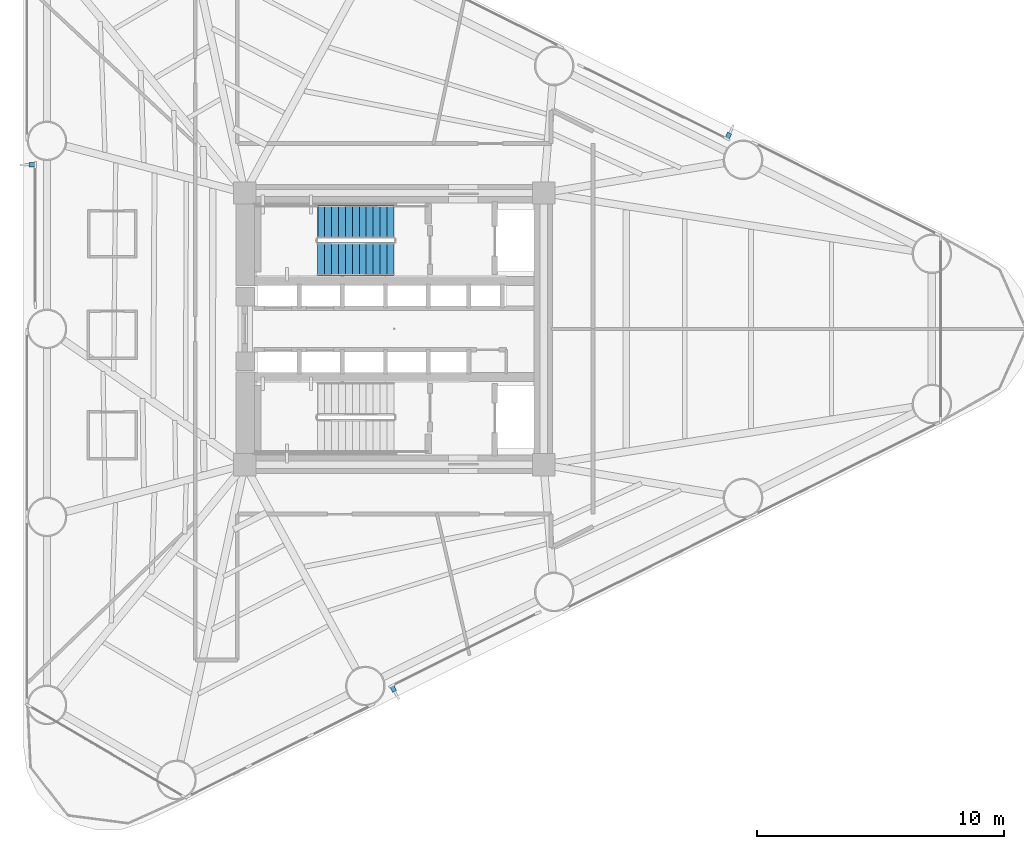
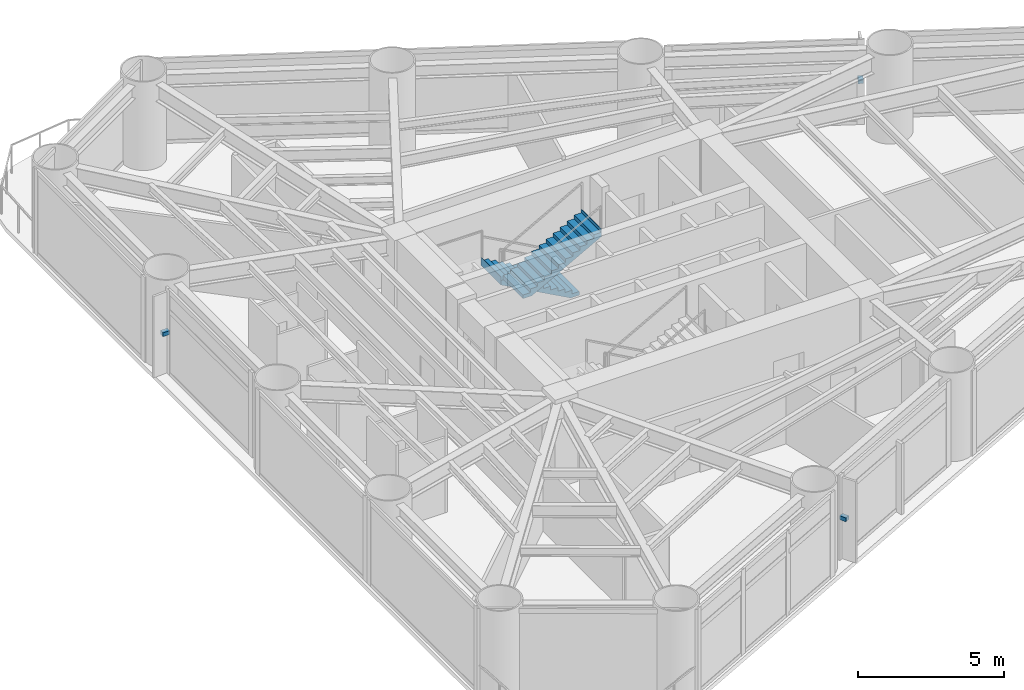
# One storey, part 7 of 10: 3 discrete accessories, 2 stair flights, 1 element without a shape of its own.
"""IFC4 building model written with IfcOpenShell, lengths in metres."""

from ifc_helpers import new_model, si_unit, direction, frame, origin, origin_2d, place, context, subcontext, project, spatial, polyline, rectangle, outline, extrude, source, transform, mapped, material, type_object, element, aggregate, save


model = new_model("IFC4")

# Units and contexts
model_context = context("Model", 3, precision=1e-05, world=origin(), true_north=direction((0.0, 1.0)))
body_context = subcontext(model_context, "Body", "Model", "MODEL_VIEW")
ifc_project = project(units=[si_unit("LENGTHUNIT", "METRE"), si_unit("AREAUNIT", "SQUARE_METRE"), si_unit("VOLUMEUNIT", "CUBIC_METRE"), si_unit("PLANEANGLEUNIT", "RADIAN"), si_unit("MASSUNIT", "GRAM", prefix="KILO")], contexts=[model_context])

# Site, building, storey
site_placement = place(None, origin())
site = spatial("IfcSite", under=ifc_project, at=site_placement, CompositionType="ELEMENT")
building_placement = place(site_placement, origin())
building = spatial("IfcBuilding", under=site, at=building_placement, Name="Yunling Apex Tower", CompositionType="ELEMENT")
storey_placement = place(building_placement, frame((0.0, 0.0, 27.5)))
storey = spatial("IfcBuildingStorey", under=building, at=storey_placement, Name="L08", CompositionType="ELEMENT", Elevation=27.5)

# Stair, stair flights
ifc_material_1 = material(Name="Concrete C40", Category="concrete")
stair_type = type_object("IfcStairType", Name="ST-TWR-1", PredefinedType="HALF_TURN_STAIR", material=ifc_material_1)
stair_placement = place(storey_placement, origin())
stair = element("IfcStair", 1, at=stair_placement, inside=storey, type_object=stair_type, Name="L08 North Core Smokeproof Exit Stair ST-1", PredefinedType="HALF_TURN_STAIR")
stair_flight_type = type_object("IfcStairFlightType", Name="SFL-TWR-1", PredefinedType="STRAIGHT", material=ifc_material_1)
stair_flight_1_placement = place(storey_placement, frame((-0.010009765625, 4.330078125, 0.0), z_axis=(0.0, 0.0, 1.0), x_axis=(-1.0, 0.0, 0.0)))
stair_flight_1 = element("IfcStairFlight", 2, at=stair_flight_1_placement, type_object=stair_flight_type, Name="ST-1 flight 1", NumberOfRisers=12, NumberOfTreads=11, PredefinedType="STRAIGHT", RiserHeight=0.154166667, TreadLength=0.28, context=body_context, shape_type="SweptSolid", body=[
    extrude(outline(polyline([(-0.011962890625, 0.0), (-0.011962890625, 0.154052734375), (0.0, 0.154052734375), (0.280029296875, 0.154052734375), (0.280029296875, 0.308349609375), (0.56005859375, 0.308349609375), (0.56005859375, 0.46240234375), (0.840087890625, 0.46240234375), (0.840087890625, 0.61669921875), (1.1201171875, 0.61669921875), (1.1201171875, 0.770751953125), (1.39990234375, 0.770751953125), (1.39990234375, 0.925048828125), (1.679931640625, 0.925048828125), (1.679931640625, 1.0791015625), (1.9599609375, 1.0791015625), (1.9599609375, 1.2333984375), (2.239990234375, 1.2333984375), (2.239990234375, 1.387451171875), (2.52001953125, 1.387451171875), (2.52001953125, 1.541748046875), (2.800048828125, 1.541748046875), (2.800048828125, 1.69580078125), (3.080078125, 1.69580078125), (3.080078125, 1.85009765625), (3.092041015625, 1.85009765625), (3.092041015625, 1.51318359375), (0.33154296875, 0.0), (-0.011962890625, 0.0)])), frame((0.0, 0.68017578125, 0.0), z_axis=(0.0, -1.0, 0.0), x_axis=(1.0, 0.0, 0.0)), (0.0, 0.0, 1.0), 1.360107421875),
])
stair_flight_2_placement = place(storey_placement, frame((-3.090087890625, 2.820068359375, 1.85009765625), z_axis=(0.0, 0.0, 1.0), x_axis=(1.0, 0.0, 0.0)))
stair_flight_2 = element("IfcStairFlight", 3, at=stair_flight_2_placement, type_object=stair_flight_type, Name="ST-1 flight 2", NumberOfRisers=12, NumberOfTreads=11, PredefinedType="STRAIGHT", RiserHeight=0.154166667, TreadLength=0.28, context=body_context, shape_type="SweptSolid", body=[
    extrude(outline(polyline([(-0.011962890625, 0.0), (-0.011962890625, 0.154052734375), (0.0, 0.154052734375), (0.280029296875, 0.154052734375), (0.280029296875, 0.308349609375), (0.56005859375, 0.308349609375), (0.56005859375, 0.46240234375), (0.840087890625, 0.46240234375), (0.840087890625, 0.61669921875), (1.1201171875, 0.61669921875), (1.1201171875, 0.770751953125), (1.39990234375, 0.770751953125), (1.39990234375, 0.925048828125), (1.679931640625, 0.925048828125), (1.679931640625, 1.0791015625), (1.9599609375, 1.0791015625), (1.9599609375, 1.2333984375), (2.239990234375, 1.2333984375), (2.239990234375, 1.387451171875), (2.52001953125, 1.387451171875), (2.52001953125, 1.541748046875), (2.800048828125, 1.541748046875), (2.800048828125, 1.69580078125), (3.080078125, 1.69580078125), (3.080078125, 1.85009765625), (3.092041015625, 1.85009765625), (3.092041015625, 1.51318359375), (0.33154296875, 0.0), (-0.011962890625, 0.0)])), frame((0.0, 0.68017578125, 0.0), z_axis=(0.0, -1.0, 0.0), x_axis=(1.0, 0.0, 0.0)), (0.0, 0.0, 1.0), 1.360107421875),
])
aggregate(stair, [stair_flight_1, stair_flight_2])

# Discrete accessories
ifc_material_2 = material(Name="Steel Q355B", Category="steel")
discrete_accessory_type = type_object("IfcDiscreteAccessoryType", Name="BK-FIN-1", PredefinedType="BRACKET", material=ifc_material_2)
shared_shape = source(origin(), body_context, "Body", "SweptSolid", [
    extrude(rectangle(XDim=0.179931640625, YDim=0.260009765625, at=origin_2d()), origin(), (0.0, 0.0, 1.0), 0.159912109375),
])
for number, where, z_axis, x_axis, name in (
    (4, (-0.0380859375, -14.561279296875, 1.677734375), (0.0, 0.0, 1.0), (0.895245648325, 0.445572922377, 0.0), "CW-L08-F1-B2-BRK-01-1"),
    (5, (13.527587890625, 7.8095703125, 1.677734375), (0.0, 0.0, 1.0), (-0.895245648325, 0.445572922377, 0.0), "CW-L08-F2-B2-BRK-01-1"),
    (6, (-14.652099609375, 6.64697265625, 1.677734375), (0.0, 0.0, 1.0), (0.0, -1.0, 0.0), "CW-L08-F3-B2-BRK-01-1"),
):
    element("IfcDiscreteAccessory", number, at=place(storey_placement, frame(where, z_axis=z_axis, x_axis=x_axis)), inside=storey, type_object=discrete_accessory_type, Name=name, PredefinedType="BRACKET", context=body_context, shape_type="MappedRepresentation", body=[
        mapped(shared_shape, transform((0.0, 0.0, 0.0), scale=1.0)),
    ])

save(model, "model.ifc")
